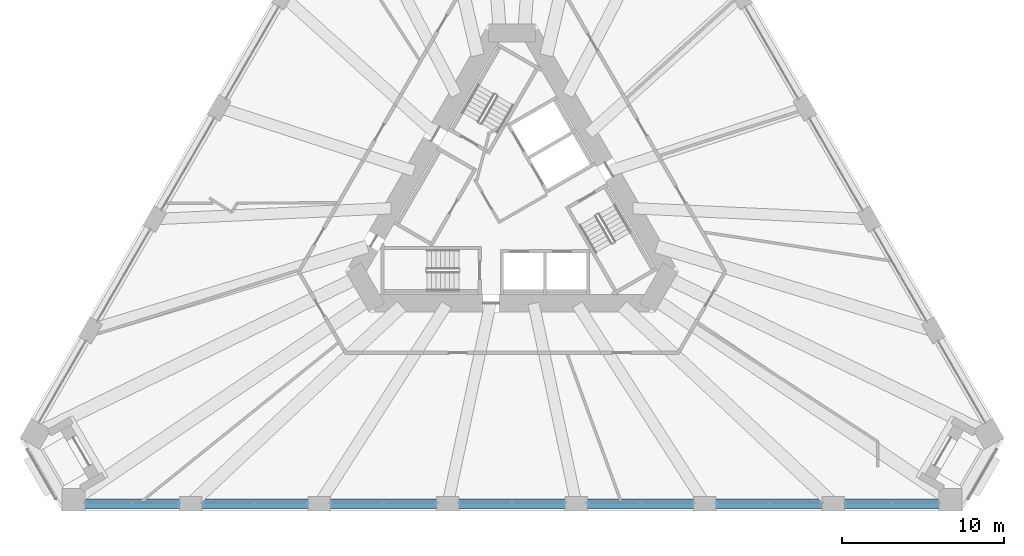
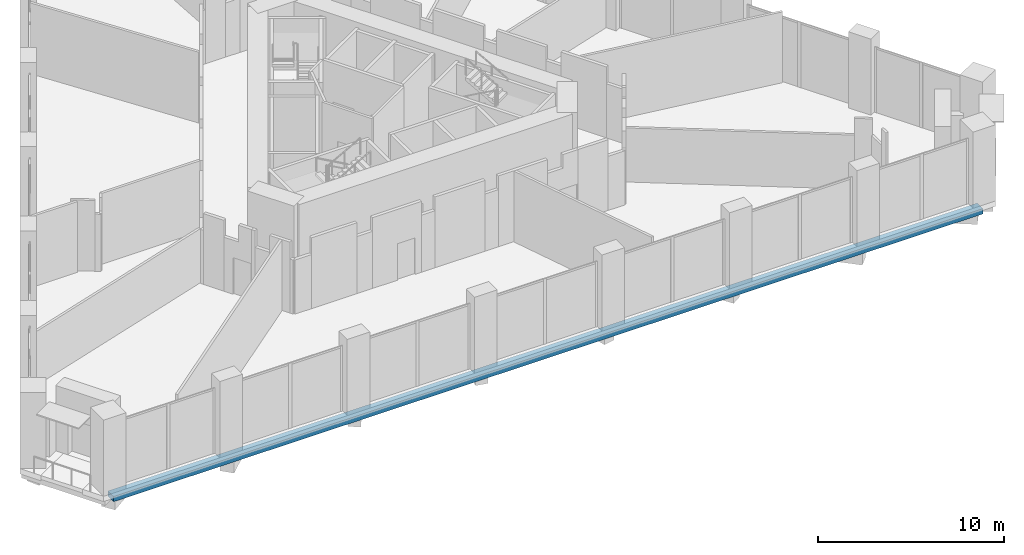
# One storey, part 3 of 20: 1 beam.
"""IFC4 building model written with IfcOpenShell, lengths in metres."""

from ifc_helpers import new_model, si_unit, direction, frame, origin, origin_2d, place, context, subcontext, project, spatial, rectangle, extrude, material, material_profile, profile_set, type_object, element, save


model = new_model("IFC4")

# Units and contexts
model_context = context("Model", 3, precision=1e-05, world=origin(), true_north=direction((0.0, 1.0)))
body_context = subcontext(model_context, "Body", "Model", "MODEL_VIEW")
ifc_project = project(units=[si_unit("LENGTHUNIT", "METRE"), si_unit("AREAUNIT", "SQUARE_METRE"), si_unit("VOLUMEUNIT", "CUBIC_METRE"), si_unit("PLANEANGLEUNIT", "RADIAN"), si_unit("MASSUNIT", "GRAM", prefix="KILO")], contexts=[model_context])

# Site, building, storey
site_placement = place(None, origin())
site = spatial("IfcSite", under=ifc_project, at=site_placement, CompositionType="ELEMENT")
building_placement = place(site_placement, origin())
building = spatial("IfcBuilding", under=site, at=building_placement, Name="Tramontana Tower", CompositionType="ELEMENT")
storey_placement = place(building_placement, frame((0.0, 0.0, 10.0)))
storey = spatial("IfcBuildingStorey", under=building, at=storey_placement, Name="L01", CompositionType="ELEMENT", Elevation=10.0)

# Beam
ifc_material = material(Name="Concrete 40 MPa", Category="concrete")
ifc_material_profile = material_profile(ifc_material, rectangle(XDim=0.60009765625, YDim=0.35009765625, at=origin_2d()), Name="RC EDGE BEAM 600X350 40 MPa")
ifc_profile_set = profile_set([ifc_material_profile], Name="Concrete 40 MPa")
beam_type = type_object("IfcBeamType", Name="RC EDGE BEAM 600X350 40 MPa", PredefinedType="SPANDREL", material=ifc_profile_set)
beam_placement = place(storey_placement, frame((-27.0126953125, -18.550048828125, -0.52490234375), z_axis=(1.0, 0.0, 0.0), x_axis=(0.0, 1.0, 0.0)))
element("IfcBeam", 1, at=beam_placement, inside=storey, type_object=beam_type, Name="Spandrel beam S1 L01", PredefinedType="SPANDREL", context=body_context, shape_type="SweptSolid", body=[
    extrude(rectangle(XDim=0.60009765625, YDim=0.35009765625, at=origin_2d()), origin(), (0.0, 0.0, 1.0), 54.025390625),
])

save(model, "model.ifc")
